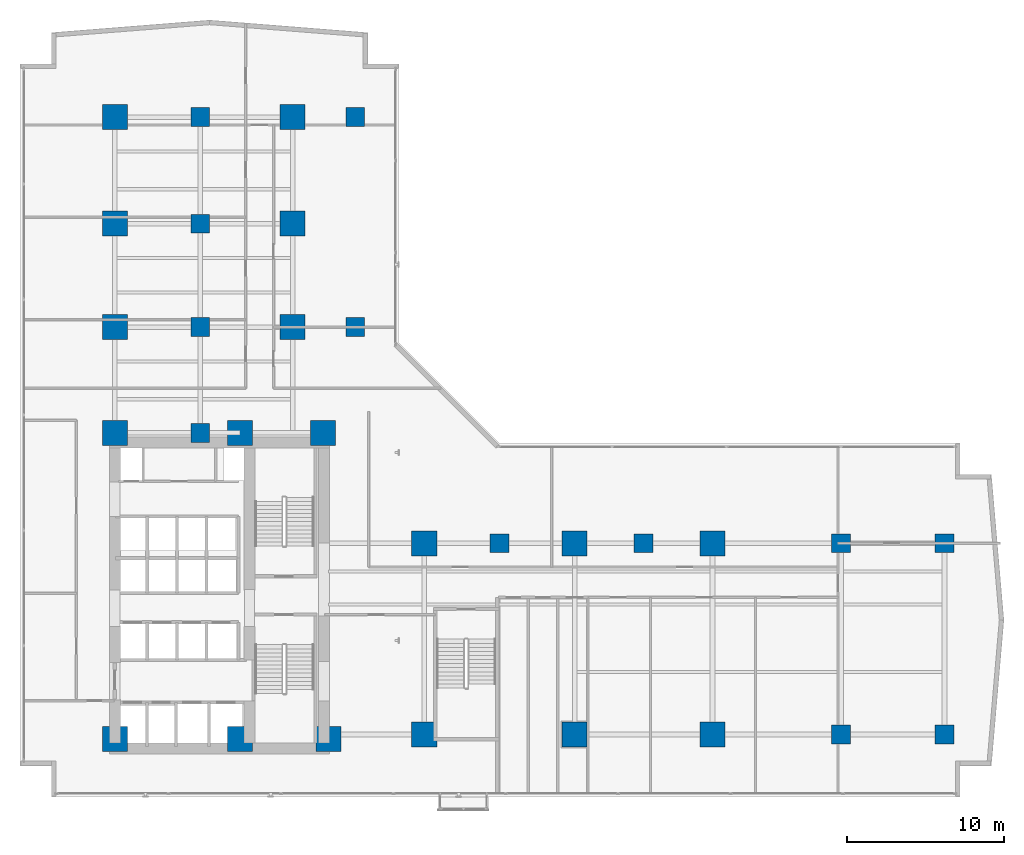
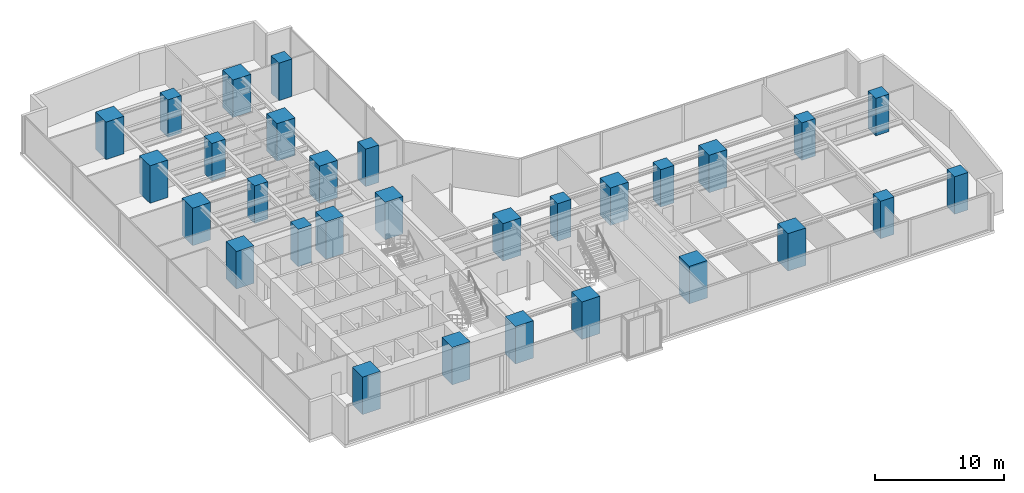
# One storey, part 1 of 27: 30 columns.
"""IFC4 building model written with IfcOpenShell, lengths in metres."""

from ifc_helpers import new_model, si_unit, direction, frame, origin, origin_2d, place, context, subcontext, project, spatial, rectangle, extrude, material, material_profile, profile_set, type_object, element, save


model = new_model("IFC4")

# Units and contexts
model_context = context("Model", 3, precision=1e-05, world=origin(), true_north=direction((0.0, 1.0)))
body_context = subcontext(model_context, "Body", "Model", "MODEL_VIEW")
ifc_project = project(units=[si_unit("LENGTHUNIT", "METRE"), si_unit("AREAUNIT", "SQUARE_METRE"), si_unit("VOLUMEUNIT", "CUBIC_METRE"), si_unit("PLANEANGLEUNIT", "RADIAN"), si_unit("MASSUNIT", "GRAM", prefix="KILO")], contexts=[model_context])

# Site, building, storey
site_placement = place(None, origin())
site = spatial("IfcSite", under=ifc_project, at=site_placement, CompositionType="ELEMENT")
building_placement = place(site_placement, origin())
building = spatial("IfcBuilding", under=site, at=building_placement, Name="Kolvaren Waterfront Exchange", CompositionType="ELEMENT")
storey_placement = place(building_placement, frame((0.0, 0.0, 63.800048828125)))
storey = spatial("IfcBuildingStorey", under=building, at=storey_placement, Name="L16", CompositionType="ELEMENT", Elevation=63.800048828125)

# Columns
ifc_material = material(Name="Concrete C70/85", Category="concrete")
ifc_material_profile_1 = material_profile(ifc_material, rectangle(XDim=1.199951171875, YDim=1.199951171875, at=origin_2d()), Name="RC-COL-1200x1200")
ifc_profile_set_1 = profile_set([ifc_material_profile_1], Name="Concrete C70/85")
column_type_1 = type_object("IfcColumnType", Name="STR-COL-1200-C70", PredefinedType="COLUMN", material=ifc_profile_set_1)
for number, where, z_axis, x_axis, name in (
    (1, (53.800048828125, 5.199951171875, 0.0), (0.0, 0.0, 1.0), (1.0, 0.0, 0.0), "L16 column ZC01"),
    (2, (53.800048828125, 17.39990234375, 0.0), (0.0, 0.0, 1.0), (1.0, 0.0, 0.0), "L16 column ZC02"),
    (3, (60.39990234375, 5.199951171875, 0.0), (0.0, 0.0, 1.0), (1.0, 0.0, 0.0), "L16 column ZC03"),
    (4, (60.39990234375, 17.39990234375, 0.0), (0.0, 0.0, 1.0), (1.0, 0.0, 0.0), "L16 column ZC04"),
    (5, (22.800048828125, 31.199951171875, 0.0), (0.0, 0.0, 1.0), (1.0, 0.0, 0.0), "L16 column ZC05"),
    (6, (22.800048828125, 44.60009765625, 0.0), (0.0, 0.0, 1.0), (1.0, 0.0, 0.0), "L16 column ZC06"),
    (7, (12.89990234375, 24.449951171875, 0.0), (0.0, 0.0, 1.0), (1.0, 0.0, 0.0), "L16 column TC01"),
    (8, (12.89990234375, 31.199951171875, 0.0), (0.0, 0.0, 1.0), (1.0, 0.0, 0.0), "L16 column TC02"),
    (9, (12.89990234375, 37.800048828125, 0.0), (0.0, 0.0, 1.0), (1.0, 0.0, 0.0), "L16 column TC03"),
    (10, (12.89990234375, 44.60009765625, 0.0), (0.0, 0.0, 1.0), (1.0, 0.0, 0.0), "L16 column TC04"),
    (11, (32.0, 17.39990234375, 0.0), (0.0, 0.0, 1.0), (1.0, 0.0, 0.0), "L16 column TC05"),
    (12, (41.199951171875, 17.39990234375, 0.0), (0.0, 0.0, 1.0), (1.0, 0.0, 0.0), "L16 column TC06"),
):
    element("IfcColumn", number, at=place(storey_placement, frame(where, z_axis=z_axis, x_axis=x_axis)), inside=storey, type_object=column_type_1, Name=name, PredefinedType="COLUMN", context=body_context, shape_type="SweptSolid", body=[
        extrude(rectangle(XDim=1.199951171875, YDim=1.199951171875, at=origin_2d()), origin(), (0.0, 0.0, 1.0), 3.5400390625),
    ])
ifc_material_profile_2 = material_profile(ifc_material, rectangle(XDim=1.60009765625, YDim=1.60009765625, at=origin_2d()), Name="RC-COL-1600x1600")
ifc_profile_set_2 = profile_set([ifc_material_profile_2], Name="Concrete C70/85")
column_type_2 = type_object("IfcColumnType", Name="STR-COL-1600-C70", PredefinedType="COLUMN", material=ifc_profile_set_2)
for number, where, z_axis, x_axis, name in (
    (13, (7.449951171875, 4.89990234375, 0.0), (0.0, 0.0, 1.0), (1.0, 0.0, 0.0), "L16 column MC01"),
    (14, (15.449951171875, 4.89990234375, 0.0), (0.0, 0.0, 1.0), (1.0, 0.0, 0.0), "L16 column MC02"),
    (15, (21.10009765625, 4.89990234375, 0.0), (0.0, 0.0, 1.0), (1.0, 0.0, 0.0), "L16 column MC03"),
    (16, (7.449951171875, 24.449951171875, 0.0), (0.0, 0.0, 1.0), (1.0, 0.0, 0.0), "L16 column MC04"),
    (17, (15.449951171875, 24.449951171875, 0.0), (0.0, 0.0, 1.0), (1.0, 0.0, 0.0), "L16 column MC05"),
    (18, (20.75, 24.449951171875, 0.0), (0.0, 0.0, 1.0), (1.0, 0.0, 0.0), "L16 column MC06"),
    (19, (7.449951171875, 31.199951171875, 0.0), (0.0, 0.0, 1.0), (1.0, 0.0, 0.0), "L16 column NC01"),
    (20, (7.449951171875, 37.800048828125, 0.0), (0.0, 0.0, 1.0), (1.0, 0.0, 0.0), "L16 column NC02"),
    (21, (7.449951171875, 44.60009765625, 0.0), (0.0, 0.0, 1.0), (1.0, 0.0, 0.0), "L16 column NC03"),
    (22, (18.800048828125, 31.199951171875, 0.0), (0.0, 0.0, 1.0), (1.0, 0.0, 0.0), "L16 column NC04"),
    (23, (18.800048828125, 37.800048828125, 0.0), (0.0, 0.0, 1.0), (1.0, 0.0, 0.0), "L16 column NC05"),
    (24, (18.800048828125, 44.60009765625, 0.0), (0.0, 0.0, 1.0), (1.0, 0.0, 0.0), "L16 column NC06"),
    (25, (27.199951171875, 5.199951171875, 0.0), (0.0, 0.0, 1.0), (1.0, 0.0, 0.0), "L16 column EC01"),
    (26, (36.800048828125, 5.199951171875, 0.0), (0.0, 0.0, 1.0), (1.0, 0.0, 0.0), "L16 column EC02"),
    (27, (45.60009765625, 5.199951171875, 0.0), (0.0, 0.0, 1.0), (1.0, 0.0, 0.0), "L16 column EC03"),
    (28, (27.199951171875, 17.39990234375, 0.0), (0.0, 0.0, 1.0), (1.0, 0.0, 0.0), "L16 column EC04"),
    (29, (36.800048828125, 17.39990234375, 0.0), (0.0, 0.0, 1.0), (1.0, 0.0, 0.0), "L16 column EC05"),
    (30, (45.60009765625, 17.39990234375, 0.0), (0.0, 0.0, 1.0), (1.0, 0.0, 0.0), "L16 column EC06"),
):
    element("IfcColumn", number, at=place(storey_placement, frame(where, z_axis=z_axis, x_axis=x_axis)), inside=storey, type_object=column_type_2, Name=name, PredefinedType="COLUMN", context=body_context, shape_type="SweptSolid", body=[
        extrude(rectangle(XDim=1.60009765625, YDim=1.60009765625, at=origin_2d()), origin(), (0.0, 0.0, 1.0), 3.5400390625),
    ])

save(model, "model.ifc")
